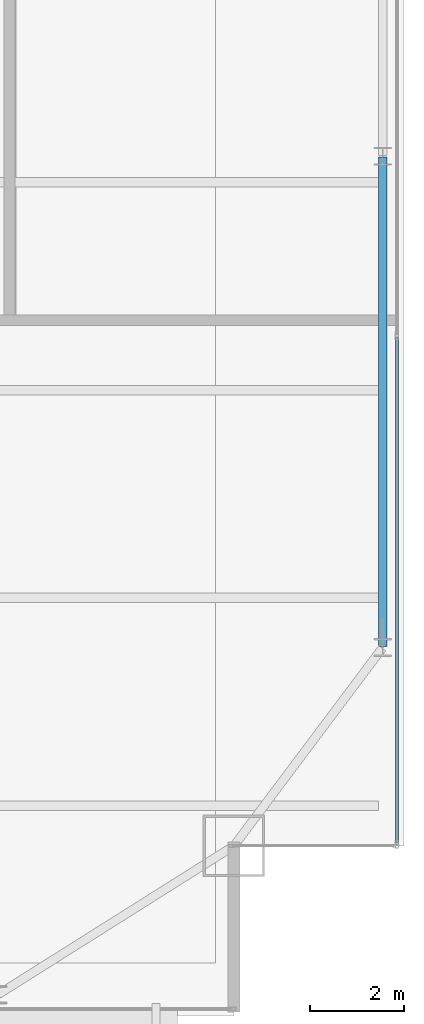
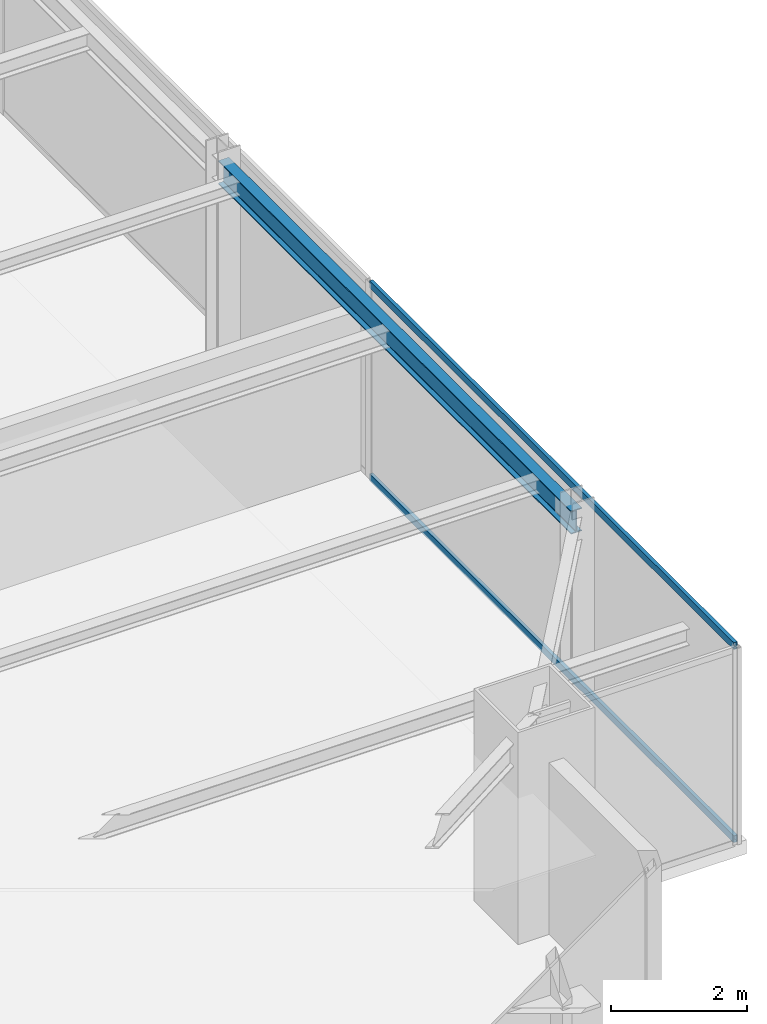
# One storey, part 16 of 29: 2 members, 1 beam, 1 element without a shape of its own.
"""IFC4 building model written with IfcOpenShell, lengths in metres."""

import ifcopenshell
import ifcopenshell.guid

model = None  # the IFC model being written
_history = None  # IfcOwnerHistory: only IFC2X3 demands one
_inside = {}  # id of a spatial element -> (the spatial element, [elements in it])
_under = {}  # id of a project, library or spatial element -> (it, [spatial elements below it])
_declared = {}  # id of a project -> (the project, [libraries it declares])
_typed = {}  # id of a type object -> (the type object, [elements of that type])
_made_of = {}  # id of a material, layer set ... -> (it, [elements and type objects made of it])


def new_model(schema):
    """Start an empty IFC model of exactly this schema.

    Asked for "IFC4X3", IfcOpenShell would pick the latest addendum, in which some entities
    have other attributes; the version numbers below select the first issue.
    IFC2X3 requires an IfcOwnerHistory on every rooted entity: one is made here for all.
    """
    global model, _history
    if schema == "IFC4X3":
        model = ifcopenshell.file(schema_version=(4, 3, 0, 0))
    else:
        model = ifcopenshell.file(schema=schema)
    _inside.clear()
    _under.clear()
    _declared.clear()
    _typed.clear()
    _made_of.clear()
    _history = None
    if model.schema == "IFC2X3":
        org = make("IfcOrganization", Name="unknown")
        user = make(
            "IfcPersonAndOrganization",
            ThePerson=make("IfcPerson", FamilyName="unknown"),
            TheOrganization=org,
        )
        app = make(
            "IfcApplication",
            ApplicationDeveloper=org,
            Version="unknown",
            ApplicationFullName="unknown",
            ApplicationIdentifier="unknown",
        )
        _history = make(
            "IfcOwnerHistory",
            OwningUser=user,
            OwningApplication=app,
            ChangeAction="ADDED",
            CreationDate=0,
        )
    return model


def make(cls, **values):
    """One entity of the class cls with the attributes given. An attribute that is None is left unset."""
    return model.create_entity(
        cls, **{name: value for name, value in values.items() if value is not None}
    )


def rooted(cls, **values):
    """An entity with a GlobalId (a new one), such as an element, a storey or a relation."""
    return make(cls, GlobalId=ifcopenshell.guid.new(), OwnerHistory=_history, **values)


def si_unit(unit_type, name, prefix=None):
    """IfcSIUnit, for example si_unit("LENGTHUNIT", "METRE", prefix="MILLI")."""
    return make("IfcSIUnit", UnitType=unit_type, Prefix=prefix, Name=name)


def assignment(units):
    """IfcUnitAssignment: the units of a project."""
    return None if units is None else make("IfcUnitAssignment", Units=units)


def point(xyz):
    """IfcCartesianPoint."""
    return None if xyz is None else make("IfcCartesianPoint", Coordinates=xyz)


def direction(xyz):
    """IfcDirection."""
    return None if xyz is None else make("IfcDirection", DirectionRatios=xyz)


def frame(location, z_axis=None, x_axis=None):
    """IfcAxis2Placement3D, a coordinate frame: its origin and axes. An axis left out is left unset."""
    return make(
        "IfcAxis2Placement3D",
        Location=point(location),
        Axis=direction(z_axis),
        RefDirection=direction(x_axis),
    )


def frame_2d(location, x_axis=None):
    """IfcAxis2Placement2D, a coordinate frame in the plane: its origin and x axis."""
    return make(
        "IfcAxis2Placement2D", Location=point(location), RefDirection=direction(x_axis)
    )


def origin():
    """The frame at (0, 0, 0) with its axes left unset."""
    return frame((0.0, 0.0, 0.0))


def origin_2d():
    """The frame at (0, 0) in the plane with its x axis left unset."""
    return frame_2d((0.0, 0.0))


def place(relative_to, where):
    """IfcLocalPlacement: puts the frame where relative to a parent placement (None: the world)."""
    return make(
        "IfcLocalPlacement", PlacementRelTo=relative_to, RelativePlacement=where
    )


def context(
    kind, dimensions, precision=None, world=None, true_north=None, identifier=None
):
    """IfcGeometricRepresentationContext, for example the 3D "Model" context."""
    return make(
        "IfcGeometricRepresentationContext",
        ContextIdentifier=identifier,
        ContextType=kind,
        CoordinateSpaceDimension=dimensions,
        Precision=precision,
        WorldCoordinateSystem=world,
        TrueNorth=true_north,
    )


def subcontext(parent, identifier, kind, view, scale=None):
    """IfcGeometricRepresentationSubContext, for example "Body" below "Model"."""
    return make(
        "IfcGeometricRepresentationSubContext",
        ContextIdentifier=identifier,
        ContextType=kind,
        ParentContext=parent,
        TargetScale=scale,
        TargetView=view,
    )


def project(units=None, contexts=None):
    """IfcProject with its units and contexts."""
    return rooted(
        "IfcProject",
        Name="project",
        RepresentationContexts=contexts,
        UnitsInContext=assignment(units),
    )


def spatial(cls, under=None, at=None, **own):
    """A site, building, storey or space (cls), placed at a placement, below another one or the project."""
    s = rooted(cls, ObjectPlacement=at, **own)
    if under is not None:
        _under.setdefault(under.id(), (under, []))[1].append(s)
    return s


def profile(cls, at=None, kind="AREA", **sizes):
    """A parametric profile (cls). Its sizes go by their IFC names, for example OverallWidth=200.0."""
    return make(cls, ProfileType=kind, Position=at, **sizes)


def hollow_rectangle(**sizes):
    """IfcRectangleHollowProfileDef."""
    return profile("IfcRectangleHollowProfileDef", **sizes)


def i_section(**sizes):
    """IfcIShapeProfileDef."""
    return profile("IfcIShapeProfileDef", **sizes)


def extrude(swept, where, along, depth):
    """IfcExtrudedAreaSolid: the profile swept, set in the frame where, extruded along a direction by depth."""
    return make(
        "IfcExtrudedAreaSolid",
        SweptArea=swept,
        Position=where,
        ExtrudedDirection=direction(along),
        Depth=depth,
    )


def shape(context_of_items, identifier, shape_type, items):
    """IfcShapeRepresentation: the items that make up one representation, for example the "Body"."""
    return make(
        "IfcShapeRepresentation",
        ContextOfItems=context_of_items,
        RepresentationIdentifier=identifier,
        RepresentationType=shape_type,
        Items=items,
    )


def source(mapping_origin, context_of_items, identifier, shape_type, items):
    """IfcRepresentationMap: a shape defined once, which mapped items show again and again."""
    return make(
        "IfcRepresentationMap",
        MappingOrigin=mapping_origin,
        MappedRepresentation=shape(context_of_items, identifier, shape_type, items),
    )


def transform(
    local_origin,
    x_axis=None,
    y_axis=None,
    z_axis=None,
    scale=None,
    scale2=None,
    scale3=None,
    uniform=True,
):
    """IfcCartesianTransformationOperator3D, or its non-uniform kind. x_axis, y_axis, z_axis: its Axis1, 2, 3."""
    if uniform:
        return make(
            "IfcCartesianTransformationOperator3D",
            Axis1=direction(x_axis),
            Axis2=direction(y_axis),
            LocalOrigin=point(local_origin),
            Scale=scale,
            Axis3=direction(z_axis),
        )
    return make(
        "IfcCartesianTransformationOperator3DnonUniform",
        Axis1=direction(x_axis),
        Axis2=direction(y_axis),
        LocalOrigin=point(local_origin),
        Scale=scale,
        Axis3=direction(z_axis),
        Scale2=scale2,
        Scale3=scale3,
    )


def mapped(mapping_source, mapping_target):
    """IfcMappedItem: shows the shape of a source again, moved by a transform."""
    return make(
        "IfcMappedItem", MappingSource=mapping_source, MappingTarget=mapping_target
    )


def material(Name=None, Category=None):
    """IfcMaterial."""
    return make("IfcMaterial", Name=Name, Category=Category)


def layer(
    of_material, thickness, ventilated=None, Name=None, Category=None, Priority=None
):
    """IfcMaterialLayer: one layer of a wall or slab, of a material (None: an air gap)."""
    return make(
        "IfcMaterialLayer",
        Material=of_material,
        LayerThickness=thickness,
        IsVentilated=ventilated,
        Name=Name,
        Category=Category,
        Priority=Priority,
    )


def layer_set(layers, Name=None):
    """IfcMaterialLayerSet."""
    return make("IfcMaterialLayerSet", MaterialLayers=layers, LayerSetName=Name)


def material_profile(
    of_material, cross_section, Name=None, Category=None, Priority=None
):
    """IfcMaterialProfile: a cross section and its material."""
    return make(
        "IfcMaterialProfile",
        Name=Name,
        Material=of_material,
        Profile=cross_section,
        Priority=Priority,
        Category=Category,
    )


def profile_set(profiles, Name=None, composite=None):
    """IfcMaterialProfileSet."""
    return make(
        "IfcMaterialProfileSet",
        Name=Name,
        MaterialProfiles=profiles,
        CompositeProfile=composite,
    )


def made_of(thing, what):
    """Note that an element or type object is made of a material, layer set ...; save() writes the relation."""
    if what is not None:
        _made_of.setdefault(what.id(), (what, []))[1].append(thing)
    return thing


def type_object(cls, material=None, **own):
    """A type object (cls), such as IfcWallType, which elements share."""
    return made_of(rooted(cls, **own), material)


def type_shapes(of_type, sources):
    """Give a type object the sources (RepresentationMaps) that its elements show as mapped items."""
    of_type.RepresentationMaps = sources


def element(
    cls,
    number,
    at=None,
    inside=None,
    cuts=None,
    type_object=None,
    material=None,
    context=None,
    identifier="Body",
    shape_type=None,
    held_by="IfcProductDefinitionShape",
    body=None,
    shapes=None,
    **own,
):
    """One element of the class cls, such as IfcWall. Its Tag is "e" and its number.

    at: its placement. inside: the storey or other place that contains it. cuts: it is an
    opening in that element (IfcRelVoidsElement). A single representation is given by context,
    identifier, shape_type and body (its items); several are given by shapes. held_by: the class
    of the entity that holds the representations. save() writes the other relations.
    """
    e = rooted(cls, Tag="e%d" % number, ObjectPlacement=at, **own)
    if body is not None:
        shapes = [shape(context, identifier, shape_type, body)]
    if shapes is not None:
        e.Representation = make(held_by, Representations=shapes)
    if inside is not None:
        _inside.setdefault(inside.id(), (inside, []))[1].append(e)
    if cuts is not None:
        rooted(
            "IfcRelVoidsElement", RelatingBuildingElement=cuts, RelatedOpeningElement=e
        )
    if type_object is not None:
        _typed.setdefault(type_object.id(), (type_object, []))[1].append(e)
    return made_of(e, material)


def aggregate(whole, parts):
    """IfcRelAggregates: a whole, such as a stair, and the parts it consists of."""
    return rooted("IfcRelAggregates", RelatingObject=whole, RelatedObjects=parts)


def save(model, path):
    """Write the relations noted so far, then the file.

    IfcRelAggregates (storeys below a building ...), IfcRelContainedInSpatialStructure (elements
    in a storey), IfcRelDefinesByType, IfcRelAssociatesMaterial and IfcRelDeclares: one each for
    every whole, place, type object, material and project.
    """
    for whole, parts in _under.values():
        aggregate(whole, parts)
    for where, things in _inside.values():
        rooted(
            "IfcRelContainedInSpatialStructure",
            RelatedElements=things,
            RelatingStructure=where,
        )
    for kind, things in _typed.values():
        rooted("IfcRelDefinesByType", RelatedObjects=things, RelatingType=kind)
    for what, things in _made_of.values():
        rooted("IfcRelAssociatesMaterial", RelatedObjects=things, RelatingMaterial=what)
    for by, libraries in _declared.values():
        rooted("IfcRelDeclares", RelatingContext=by, RelatedDefinitions=libraries)
    model.write(path)


model = new_model("IFC4")

# Units and contexts
model_context = context("Model", 3, precision=1e-05, world=origin(), true_north=direction((0.0, 1.0)))
body_context = subcontext(model_context, "Body", "Model", "MODEL_VIEW")
ifc_project = project(units=[si_unit("LENGTHUNIT", "METRE"), si_unit("AREAUNIT", "SQUARE_METRE"), si_unit("VOLUMEUNIT", "CUBIC_METRE"), si_unit("PLANEANGLEUNIT", "RADIAN"), si_unit("MASSUNIT", "GRAM", prefix="KILO")], contexts=[model_context])

# Site, building, storey
site_placement = place(None, origin())
site = spatial("IfcSite", under=ifc_project, at=site_placement, CompositionType="ELEMENT")
building_placement = place(site_placement, origin())
building = spatial("IfcBuilding", under=site, at=building_placement, Name="Varnel Quay Broadcast Tower", CompositionType="ELEMENT")
storey_placement = place(building_placement, frame((0.0, 0.0, 187.60009765625)))
storey = spatial("IfcBuildingStorey", under=building, at=storey_placement, Name="L46", CompositionType="ELEMENT", Elevation=187.60009765625)

# Beam
ifc_material_1 = material(Name="Structural Steel CSA G40.21 350W", Category="steel")
ifc_material_profile_1 = material_profile(ifc_material_1, i_section(OverallWidth=0.180908203125, OverallDepth=0.4169921875, WebThickness=0.010986328125, FlangeThickness=0.018310546875, FilletRadius=0.011962890625, at=origin_2d()), Name="W410X85")
ifc_profile_set_1 = profile_set([ifc_material_profile_1], Name="Structural Steel CSA G40.21 350W")
beam_type = type_object("IfcBeamType", Name="Beam_W410X85", PredefinedType="SPANDREL", material=ifc_profile_set_1)
shared_shape_1 = source(origin(), body_context, "Body", "SweptSolid", [
    extrude(i_section(OverallWidth=0.180908203125, OverallDepth=0.4169921875, WebThickness=0.010986328125, FlangeThickness=0.018310546875, FilletRadius=0.011962890625, at=origin_2d()), origin(), (0.0, 0.0, 1.0), 10.35986328125),
])
type_shapes(beam_type, [shared_shape_1])
beam_placement = place(storey_placement, frame((60.550048828125, 15.02001953125, 3.3115234375), z_axis=(0.0, 1.0, 0.0), x_axis=(-1.0, 0.0, 0.0)))
element("IfcBeam", 1, at=beam_placement, inside=storey, type_object=beam_type, Name="L46 East Spandrel TC-E1-TC-E2", PredefinedType="SPANDREL", context=body_context, shape_type="MappedRepresentation", body=[
    mapped(shared_shape_1, transform((0.0, 0.0, 0.0), x_axis=(1.0, 0.0, 0.0), y_axis=(0.0, 1.0, 0.0), z_axis=(0.0, 0.0, 1.0), scale=1.0)),
])

# Curtain wall, members
ifc_material_2 = material(Name="Anodised Bronze Aluminium 6063-T6", Category="aluminium")
ifc_layer = layer(ifc_material_2, 0.18994140625, Name="Anodised Bronze Aluminium 6063-T6")
ifc_layer_set = layer_set([ifc_layer], Name="Anodised Bronze Aluminium 6063-T6")
curtain_wall_type = type_object("IfcCurtainWallType", Name="CW_UpperTower", PredefinedType="NOTDEFINED", material=ifc_layer_set)
curtain_wall_placement = place(storey_placement, origin())
curtain_wall = element("IfcCurtainWall", 2, at=curtain_wall_placement, inside=storey, type_object=curtain_wall_type, Name="L46 East Unitised Curtain Wall", PredefinedType="NOTDEFINED")
ifc_material_profile_2 = material_profile(ifc_material_2, hollow_rectangle(XDim=0.06005859375, YDim=0.125, WallThickness=0.0029296875, at=origin_2d()), Name="ALU60X125X3")
ifc_profile_set_2 = profile_set([ifc_material_profile_2], Name="Anodised Bronze Aluminium 6063-T6")
member_type = type_object("IfcMemberType", Name="Tran_CWS-03", PredefinedType="USERDEFINED", material=ifc_profile_set_2)
shared_shape_2 = source(origin(), body_context, "Body", "SweptSolid", [
    extrude(hollow_rectangle(XDim=0.06005859375, YDim=0.125, WallThickness=0.0029296875, at=origin_2d()), origin(), (0.0, 0.0, 1.0), 10.702392578125),
])
type_shapes(member_type, [shared_shape_2])
member_1_placement = place(storey_placement, frame((60.85009765625, 10.864990234375, 0.02978515625), z_axis=(0.0, 1.0, 0.0), x_axis=(-1.0, 0.0, 0.0)))
member_1 = element("IfcMember", 3, at=member_1_placement, type_object=member_type, Name="CWS-03 transom 1.1", ObjectType="TRANSOM", PredefinedType="USERDEFINED", context=body_context, shape_type="MappedRepresentation", body=[
    mapped(shared_shape_2, transform((0.0, 0.0, 0.0), x_axis=(1.0, 0.0, 0.0), y_axis=(0.0, 1.0, 0.0), z_axis=(0.0, 0.0, 1.0), scale=1.0)),
])
member_2_placement = place(storey_placement, frame((60.85009765625, 10.864990234375, 3.489990234375), z_axis=(0.0, 1.0, 0.0), x_axis=(-1.0, 0.0, 0.0)))
member_2 = element("IfcMember", 4, at=member_2_placement, type_object=member_type, Name="CWS-03 transom 1.2", ObjectType="TRANSOM", PredefinedType="USERDEFINED", context=body_context, shape_type="MappedRepresentation", body=[
    mapped(shared_shape_2, transform((0.0, 0.0, 0.0), x_axis=(1.0, 0.0, 0.0), y_axis=(0.0, 1.0, 0.0), z_axis=(0.0, 0.0, 1.0), scale=1.0)),
])
aggregate(curtain_wall, [member_1, member_2])

save(model, "model.ifc")
